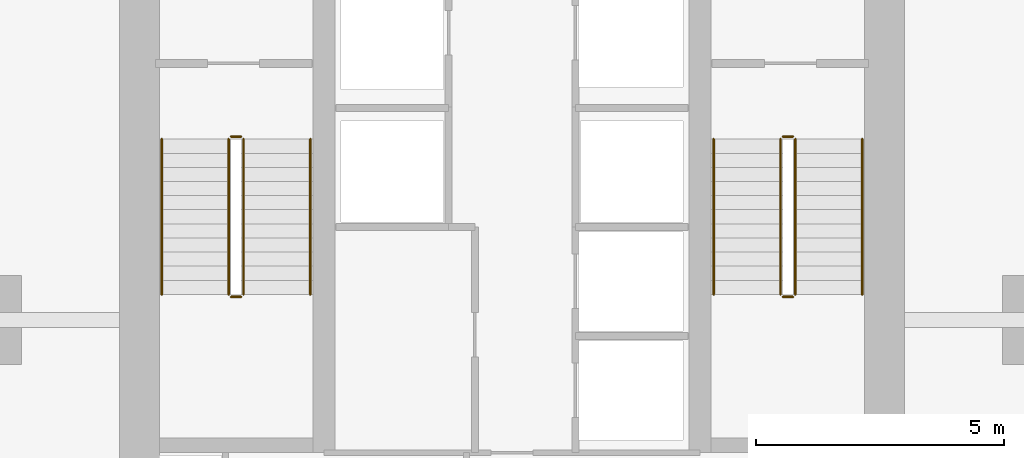
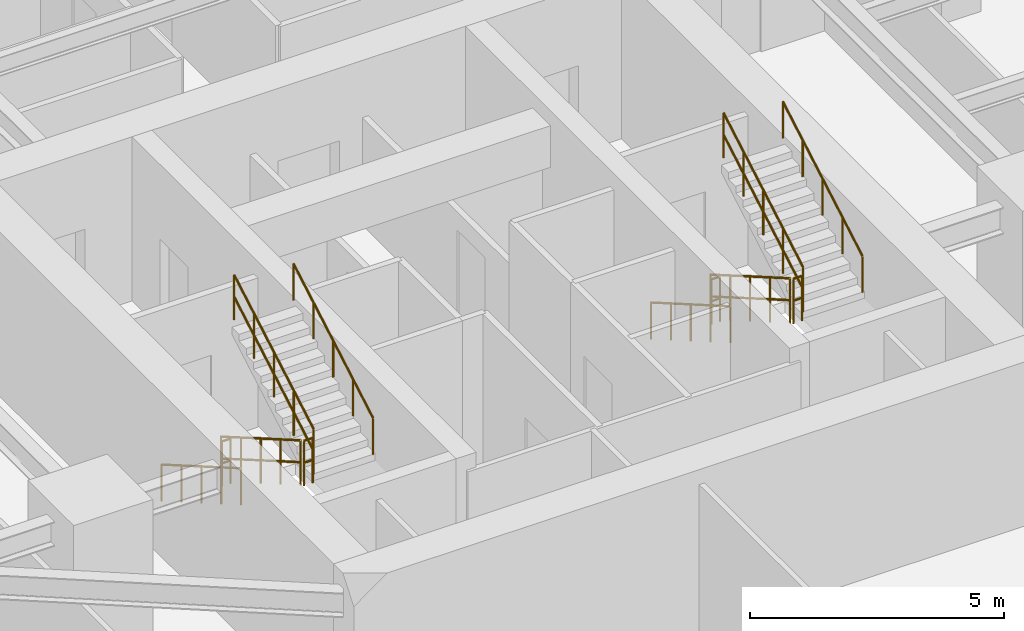
# One storey, part 24 of 25: 12 railings.
"""IFC4 building model written with IfcOpenShell, lengths in metres."""

from ifc_helpers import new_model, si_unit, direction, frame, origin, origin_2d, place, context, subcontext, project, spatial, circle, extrude, material, layer, layer_set, type_object, element, save


model = new_model("IFC4")

# Units and contexts
model_context = context("Model", 3, precision=1e-05, world=origin(), true_north=direction((0.0, 1.0)))
body_context = subcontext(model_context, "Body", "Model", "MODEL_VIEW")
ifc_project = project(units=[si_unit("LENGTHUNIT", "METRE"), si_unit("AREAUNIT", "SQUARE_METRE"), si_unit("VOLUMEUNIT", "CUBIC_METRE"), si_unit("PLANEANGLEUNIT", "RADIAN"), si_unit("MASSUNIT", "GRAM", prefix="KILO")], contexts=[model_context])

# Site, building, storey
site_placement = place(None, origin())
site = spatial("IfcSite", under=ifc_project, at=site_placement, CompositionType="ELEMENT")
building_placement = place(site_placement, origin())
building = spatial("IfcBuilding", under=site, at=building_placement, Name="Krantzveldt Concourse Tower", CompositionType="ELEMENT")
storey_placement = place(building_placement, frame((0.0, 0.0, 197.550048828125)))
storey = spatial("IfcBuildingStorey", under=building, at=storey_placement, Name="L48", CompositionType="ELEMENT", Elevation=197.550048828125)

# Railings
ifc_material = material(Name="Stainless steel 316L", Category="steel")
ifc_layer_1 = layer(ifc_material, 0.06005859375, Name="Stainless steel 316L", Category="steel")
ifc_layer_set_1 = layer_set([ifc_layer_1], Name="Stainless steel 316L (RL-GUARD-1120)")
railing_type_1 = type_object("IfcRailingType", Name="RL-GUARD-1120", PredefinedType="GUARDRAIL", material=ifc_layer_set_1)
railing_1_placement = place(storey_placement, frame((30.280029296875, 19.550048828125, 0.16455078125)))
element("IfcRailing", 1, at=railing_1_placement, inside=storey, type_object=railing_type_1, Name="L48 ST-1 stair guard 1", PredefinedType="GUARDRAIL", context=body_context, shape_type="SweptSolid", body=[
    extrude(circle(Radius=0.02392578125, at=origin_2d()), frame((0.0, 0.0, 1.076171875), z_axis=(0.0, -0.865989039225, 0.500062979975), x_axis=(1.0, 0.0, 0.0)), (0.0, 0.0, 1.0), 3.6201171875),
    extrude(circle(Radius=0.02392578125, at=origin_2d()), frame((0.0, 0.0, 0.550048828125), z_axis=(0.0, -0.865989039225, 0.500062979975), x_axis=(1.0, 0.0, 0.0)), (0.0, 0.0, 1.0), 3.6201171875),
    extrude(circle(Radius=0.02099609375, at=origin_2d()), origin(), (0.0, 0.0, 1.0), 1.052001953125),
    extrude(circle(Radius=0.02099609375, at=origin_2d()), frame((0.0, -0.78369140625, 0.45263671875)), (0.0, 0.0, 1.0), 1.052001953125),
    extrude(circle(Radius=0.02099609375, at=origin_2d()), frame((0.0, -1.5673828125, 0.9052734375)), (0.0, 0.0, 1.0), 1.052001953125),
    extrude(circle(Radius=0.02099609375, at=origin_2d()), frame((0.0, -2.351318359375, 1.357666015625)), (0.0, 0.0, 1.0), 1.052001953125),
    extrude(circle(Radius=0.02099609375, at=origin_2d()), frame((0.0, -3.135009765625, 1.810302734375)), (0.0, 0.0, 1.0), 1.052001953125),
])
railing_2_placement = place(storey_placement, frame((30.330078125, 16.364990234375, 1.974853515625)))
element("IfcRailing", 2, at=railing_2_placement, inside=storey, type_object=railing_type_1, Name="L48 ST-1 stair guard 2", PredefinedType="GUARDRAIL", context=body_context, shape_type="SweptSolid", body=[
    extrude(circle(Radius=0.02392578125, at=origin_2d()), frame((0.0, 0.0, 1.076171875), z_axis=(1.0, 0.0, 0.0), x_axis=(0.0, 1.0, 0.0)), (0.0, 0.0, 1.0), 0.199951171875),
    extrude(circle(Radius=0.02392578125, at=origin_2d()), frame((0.0, 0.0, 0.550048828125), z_axis=(1.0, 0.0, 0.0), x_axis=(0.0, 1.0, 0.0)), (0.0, 0.0, 1.0), 0.199951171875),
    extrude(circle(Radius=0.02099609375, at=origin_2d()), origin(), (0.0, 0.0, 1.0), 1.052001953125),
    extrude(circle(Radius=0.02099609375, at=origin_2d()), frame((0.199951171875, 0.0, 0.0)), (0.0, 0.0, 1.0), 1.052001953125),
])
railing_3_placement = place(storey_placement, frame((30.580078125, 16.4150390625, 2.1396484375)))
element("IfcRailing", 3, at=railing_3_placement, inside=storey, type_object=railing_type_1, Name="L48 ST-1 stair guard 3", PredefinedType="GUARDRAIL", context=body_context, shape_type="SweptSolid", body=[
    extrude(circle(Radius=0.02392578125, at=origin_2d()), frame((0.0, 0.0, 1.076171875), z_axis=(0.0, 0.865989039225, 0.500062979975), x_axis=(-1.0, 0.0, 0.0)), (0.0, 0.0, 1.0), 3.6201171875),
    extrude(circle(Radius=0.02392578125, at=origin_2d()), frame((0.0, 0.0, 0.550048828125), z_axis=(0.0, 0.865989039225, 0.500062979975), x_axis=(-1.0, 0.0, 0.0)), (0.0, 0.0, 1.0), 3.6201171875),
    extrude(circle(Radius=0.02099609375, at=origin_2d()), origin(), (0.0, 0.0, 1.0), 1.052001953125),
    extrude(circle(Radius=0.02099609375, at=origin_2d()), frame((0.0, 0.78369140625, 0.45263671875)), (0.0, 0.0, 1.0), 1.052001953125),
    extrude(circle(Radius=0.02099609375, at=origin_2d()), frame((0.0, 1.5673828125, 0.9052734375)), (0.0, 0.0, 1.0), 1.052001953125),
    extrude(circle(Radius=0.02099609375, at=origin_2d()), frame((0.0, 2.351318359375, 1.357666015625)), (0.0, 0.0, 1.0), 1.052001953125),
    extrude(circle(Radius=0.02099609375, at=origin_2d()), frame((0.0, 3.135009765625, 1.810302734375)), (0.0, 0.0, 1.0), 1.052001953125),
])
railing_4_placement = place(storey_placement, frame((30.330078125, 19.60009765625, 0.0)))
element("IfcRailing", 4, at=railing_4_placement, inside=storey, type_object=railing_type_1, Name="L48 ST-1 stair guard 4", PredefinedType="GUARDRAIL", context=body_context, shape_type="SweptSolid", body=[
    extrude(circle(Radius=0.02392578125, at=origin_2d()), frame((0.0, 0.0, 1.076171875), z_axis=(1.0, 0.0, 0.0), x_axis=(0.0, 1.0, 0.0)), (0.0, 0.0, 1.0), 0.199951171875),
    extrude(circle(Radius=0.02392578125, at=origin_2d()), frame((0.0, 0.0, 0.550048828125), z_axis=(1.0, 0.0, 0.0), x_axis=(0.0, 1.0, 0.0)), (0.0, 0.0, 1.0), 0.199951171875),
    extrude(circle(Radius=0.02099609375, at=origin_2d()), origin(), (0.0, 0.0, 1.0), 1.052001953125),
    extrude(circle(Radius=0.02099609375, at=origin_2d()), frame((0.199951171875, 0.0, 0.0)), (0.0, 0.0, 1.0), 1.052001953125),
])
railing_5_placement = place(storey_placement, frame((41.419921875, 19.550048828125, 0.16455078125)))
element("IfcRailing", 5, at=railing_5_placement, inside=storey, type_object=railing_type_1, Name="L48 ST-2 stair guard 1", PredefinedType="GUARDRAIL", context=body_context, shape_type="SweptSolid", body=[
    extrude(circle(Radius=0.02392578125, at=origin_2d()), frame((0.0, 0.0, 1.076171875), z_axis=(0.0, -0.865989039225, 0.500062979975), x_axis=(1.0, 0.0, 0.0)), (0.0, 0.0, 1.0), 3.6201171875),
    extrude(circle(Radius=0.02392578125, at=origin_2d()), frame((0.0, 0.0, 0.550048828125), z_axis=(0.0, -0.865989039225, 0.500062979975), x_axis=(1.0, 0.0, 0.0)), (0.0, 0.0, 1.0), 3.6201171875),
    extrude(circle(Radius=0.02099609375, at=origin_2d()), origin(), (0.0, 0.0, 1.0), 1.052001953125),
    extrude(circle(Radius=0.02099609375, at=origin_2d()), frame((0.0, -0.78369140625, 0.45263671875)), (0.0, 0.0, 1.0), 1.052001953125),
    extrude(circle(Radius=0.02099609375, at=origin_2d()), frame((0.0, -1.5673828125, 0.9052734375)), (0.0, 0.0, 1.0), 1.052001953125),
    extrude(circle(Radius=0.02099609375, at=origin_2d()), frame((0.0, -2.351318359375, 1.357666015625)), (0.0, 0.0, 1.0), 1.052001953125),
    extrude(circle(Radius=0.02099609375, at=origin_2d()), frame((0.0, -3.135009765625, 1.810302734375)), (0.0, 0.0, 1.0), 1.052001953125),
])
railing_6_placement = place(storey_placement, frame((41.469970703125, 16.364990234375, 1.974853515625)))
element("IfcRailing", 6, at=railing_6_placement, inside=storey, type_object=railing_type_1, Name="L48 ST-2 stair guard 2", PredefinedType="GUARDRAIL", context=body_context, shape_type="SweptSolid", body=[
    extrude(circle(Radius=0.02392578125, at=origin_2d()), frame((0.0, 0.0, 1.076171875), z_axis=(1.0, 0.0, 0.0), x_axis=(0.0, 1.0, 0.0)), (0.0, 0.0, 1.0), 0.199951171875),
    extrude(circle(Radius=0.02392578125, at=origin_2d()), frame((0.0, 0.0, 0.550048828125), z_axis=(1.0, 0.0, 0.0), x_axis=(0.0, 1.0, 0.0)), (0.0, 0.0, 1.0), 0.199951171875),
    extrude(circle(Radius=0.02099609375, at=origin_2d()), origin(), (0.0, 0.0, 1.0), 1.052001953125),
    extrude(circle(Radius=0.02099609375, at=origin_2d()), frame((0.199951171875, 0.0, 0.0)), (0.0, 0.0, 1.0), 1.052001953125),
])
railing_7_placement = place(storey_placement, frame((41.719970703125, 16.4150390625, 2.1396484375)))
element("IfcRailing", 7, at=railing_7_placement, inside=storey, type_object=railing_type_1, Name="L48 ST-2 stair guard 3", PredefinedType="GUARDRAIL", context=body_context, shape_type="SweptSolid", body=[
    extrude(circle(Radius=0.02392578125, at=origin_2d()), frame((0.0, 0.0, 1.076171875), z_axis=(0.0, 0.865989039225, 0.500062979975), x_axis=(-1.0, 0.0, 0.0)), (0.0, 0.0, 1.0), 3.6201171875),
    extrude(circle(Radius=0.02392578125, at=origin_2d()), frame((0.0, 0.0, 0.550048828125), z_axis=(0.0, 0.865989039225, 0.500062979975), x_axis=(-1.0, 0.0, 0.0)), (0.0, 0.0, 1.0), 3.6201171875),
    extrude(circle(Radius=0.02099609375, at=origin_2d()), origin(), (0.0, 0.0, 1.0), 1.052001953125),
    extrude(circle(Radius=0.02099609375, at=origin_2d()), frame((0.0, 0.78369140625, 0.45263671875)), (0.0, 0.0, 1.0), 1.052001953125),
    extrude(circle(Radius=0.02099609375, at=origin_2d()), frame((0.0, 1.5673828125, 0.9052734375)), (0.0, 0.0, 1.0), 1.052001953125),
    extrude(circle(Radius=0.02099609375, at=origin_2d()), frame((0.0, 2.351318359375, 1.357666015625)), (0.0, 0.0, 1.0), 1.052001953125),
    extrude(circle(Radius=0.02099609375, at=origin_2d()), frame((0.0, 3.135009765625, 1.810302734375)), (0.0, 0.0, 1.0), 1.052001953125),
])
railing_8_placement = place(storey_placement, frame((41.469970703125, 19.60009765625, 0.0)))
element("IfcRailing", 8, at=railing_8_placement, inside=storey, type_object=railing_type_1, Name="L48 ST-2 stair guard 4", PredefinedType="GUARDRAIL", context=body_context, shape_type="SweptSolid", body=[
    extrude(circle(Radius=0.02392578125, at=origin_2d()), frame((0.0, 0.0, 1.076171875), z_axis=(1.0, 0.0, 0.0), x_axis=(0.0, 1.0, 0.0)), (0.0, 0.0, 1.0), 0.199951171875),
    extrude(circle(Radius=0.02392578125, at=origin_2d()), frame((0.0, 0.0, 0.550048828125), z_axis=(1.0, 0.0, 0.0), x_axis=(0.0, 1.0, 0.0)), (0.0, 0.0, 1.0), 0.199951171875),
    extrude(circle(Radius=0.02099609375, at=origin_2d()), origin(), (0.0, 0.0, 1.0), 1.052001953125),
    extrude(circle(Radius=0.02099609375, at=origin_2d()), frame((0.199951171875, 0.0, 0.0)), (0.0, 0.0, 1.0), 1.052001953125),
])
ifc_layer_2 = layer(ifc_material, 0.050048828125, Name="Stainless steel 316L", Category="steel")
ifc_layer_set_2 = layer_set([ifc_layer_2], Name="Stainless steel 316L (RL-HANDRAIL-920)")
railing_type_2 = type_object("IfcRailingType", Name="RL-HANDRAIL-920", PredefinedType="HANDRAIL", material=ifc_layer_set_2)
railing_9_placement = place(storey_placement, frame((28.929931640625, 19.550048828125, 0.16455078125)))
element("IfcRailing", 9, at=railing_9_placement, inside=storey, type_object=railing_type_2, Name="L48 ST-1 stair handrail 1", PredefinedType="HANDRAIL", context=body_context, shape_type="SweptSolid", body=[
    extrude(circle(Radius=0.02392578125, at=origin_2d()), frame((0.0, 0.0, 0.8759765625), z_axis=(0.0, -0.865989039225, 0.500062979975), x_axis=(1.0, 0.0, 0.0)), (0.0, 0.0, 1.0), 3.6201171875),
    extrude(circle(Radius=0.02099609375, at=origin_2d()), origin(), (0.0, 0.0, 1.0), 0.851806640625),
    extrude(circle(Radius=0.02099609375, at=origin_2d()), frame((0.0, -0.78369140625, 0.45263671875)), (0.0, 0.0, 1.0), 0.851806640625),
    extrude(circle(Radius=0.02099609375, at=origin_2d()), frame((0.0, -1.5673828125, 0.9052734375)), (0.0, 0.0, 1.0), 0.851806640625),
    extrude(circle(Radius=0.02099609375, at=origin_2d()), frame((0.0, -2.351318359375, 1.357666015625)), (0.0, 0.0, 1.0), 0.851806640625),
    extrude(circle(Radius=0.02099609375, at=origin_2d()), frame((0.0, -3.135009765625, 1.810302734375)), (0.0, 0.0, 1.0), 0.851806640625),
])
railing_10_placement = place(storey_placement, frame((31.929931640625, 16.4150390625, 2.1396484375)))
element("IfcRailing", 10, at=railing_10_placement, inside=storey, type_object=railing_type_2, Name="L48 ST-1 stair handrail 2", PredefinedType="HANDRAIL", context=body_context, shape_type="SweptSolid", body=[
    extrude(circle(Radius=0.02392578125, at=origin_2d()), frame((0.0, 0.0, 0.8759765625), z_axis=(0.0, 0.865989039225, 0.500062979975), x_axis=(-1.0, 0.0, 0.0)), (0.0, 0.0, 1.0), 3.6201171875),
    extrude(circle(Radius=0.02099609375, at=origin_2d()), origin(), (0.0, 0.0, 1.0), 0.851806640625),
    extrude(circle(Radius=0.02099609375, at=origin_2d()), frame((0.0, 0.78369140625, 0.45263671875)), (0.0, 0.0, 1.0), 0.851806640625),
    extrude(circle(Radius=0.02099609375, at=origin_2d()), frame((0.0, 1.5673828125, 0.9052734375)), (0.0, 0.0, 1.0), 0.851806640625),
    extrude(circle(Radius=0.02099609375, at=origin_2d()), frame((0.0, 2.351318359375, 1.357666015625)), (0.0, 0.0, 1.0), 0.851806640625),
    extrude(circle(Radius=0.02099609375, at=origin_2d()), frame((0.0, 3.135009765625, 1.810302734375)), (0.0, 0.0, 1.0), 0.851806640625),
])
railing_11_placement = place(storey_placement, frame((40.070068359375, 19.550048828125, 0.16455078125)))
element("IfcRailing", 11, at=railing_11_placement, inside=storey, type_object=railing_type_2, Name="L48 ST-2 stair handrail 1", PredefinedType="HANDRAIL", context=body_context, shape_type="SweptSolid", body=[
    extrude(circle(Radius=0.02392578125, at=origin_2d()), frame((0.0, 0.0, 0.8759765625), z_axis=(0.0, -0.865989039225, 0.500062979975), x_axis=(1.0, 0.0, 0.0)), (0.0, 0.0, 1.0), 3.6201171875),
    extrude(circle(Radius=0.02099609375, at=origin_2d()), origin(), (0.0, 0.0, 1.0), 0.851806640625),
    extrude(circle(Radius=0.02099609375, at=origin_2d()), frame((0.0, -0.78369140625, 0.45263671875)), (0.0, 0.0, 1.0), 0.851806640625),
    extrude(circle(Radius=0.02099609375, at=origin_2d()), frame((0.0, -1.5673828125, 0.9052734375)), (0.0, 0.0, 1.0), 0.851806640625),
    extrude(circle(Radius=0.02099609375, at=origin_2d()), frame((0.0, -2.351318359375, 1.357666015625)), (0.0, 0.0, 1.0), 0.851806640625),
    extrude(circle(Radius=0.02099609375, at=origin_2d()), frame((0.0, -3.135009765625, 1.810302734375)), (0.0, 0.0, 1.0), 0.851806640625),
])
railing_12_placement = place(storey_placement, frame((43.070068359375, 16.4150390625, 2.1396484375)))
element("IfcRailing", 12, at=railing_12_placement, inside=storey, type_object=railing_type_2, Name="L48 ST-2 stair handrail 2", PredefinedType="HANDRAIL", context=body_context, shape_type="SweptSolid", body=[
    extrude(circle(Radius=0.02392578125, at=origin_2d()), frame((0.0, 0.0, 0.8759765625), z_axis=(0.0, 0.865989039225, 0.500062979975), x_axis=(-1.0, 0.0, 0.0)), (0.0, 0.0, 1.0), 3.6201171875),
    extrude(circle(Radius=0.02099609375, at=origin_2d()), origin(), (0.0, 0.0, 1.0), 0.851806640625),
    extrude(circle(Radius=0.02099609375, at=origin_2d()), frame((0.0, 0.78369140625, 0.45263671875)), (0.0, 0.0, 1.0), 0.851806640625),
    extrude(circle(Radius=0.02099609375, at=origin_2d()), frame((0.0, 1.5673828125, 0.9052734375)), (0.0, 0.0, 1.0), 0.851806640625),
    extrude(circle(Radius=0.02099609375, at=origin_2d()), frame((0.0, 2.351318359375, 1.357666015625)), (0.0, 0.0, 1.0), 0.851806640625),
    extrude(circle(Radius=0.02099609375, at=origin_2d()), frame((0.0, 3.135009765625, 1.810302734375)), (0.0, 0.0, 1.0), 0.851806640625),
])

save(model, "model.ifc")
